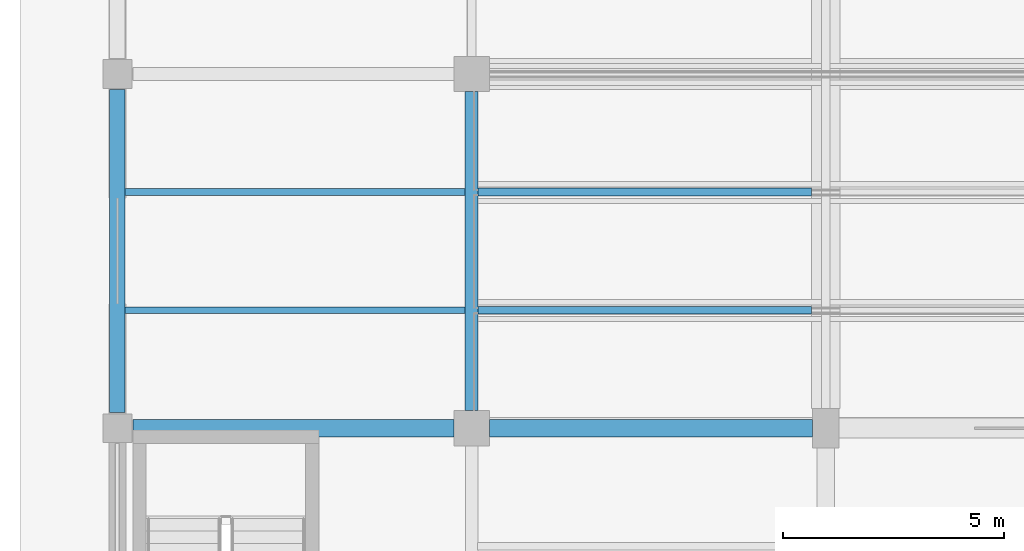
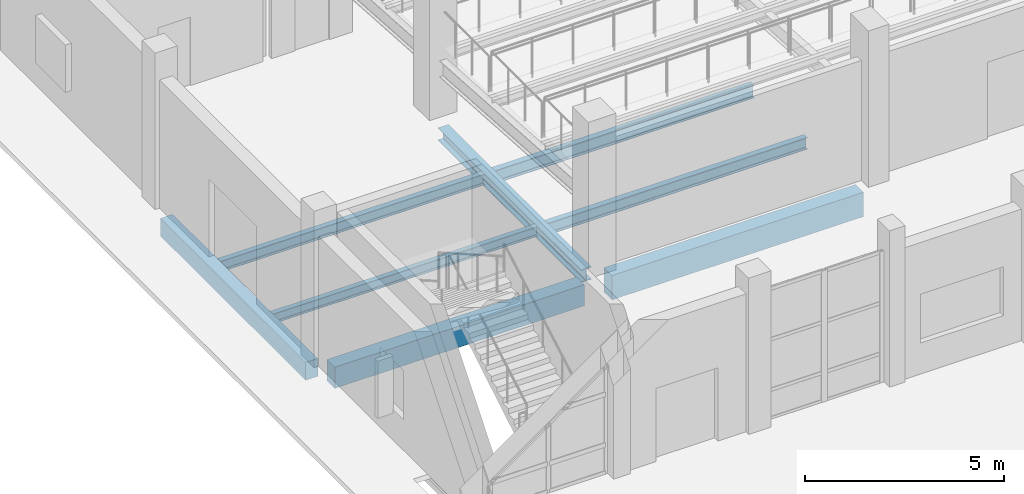
# One storey, part 29 of 156: 8 beams.
"""IFC4 building model written with IfcOpenShell, lengths in metres."""

from ifc_helpers import new_model, si_unit, direction, frame, origin, origin_2d, place, context, subcontext, project, spatial, rectangle, i_section, extrude, material, material_profile, profile_set, type_object, element, save


model = new_model("IFC4")

# Units and contexts
model_context = context("Model", 3, precision=1e-05, world=origin(), true_north=direction((0.0, 1.0)))
body_context = subcontext(model_context, "Body", "Model", "MODEL_VIEW")
ifc_project = project(units=[si_unit("LENGTHUNIT", "METRE"), si_unit("AREAUNIT", "SQUARE_METRE"), si_unit("VOLUMEUNIT", "CUBIC_METRE"), si_unit("PLANEANGLEUNIT", "RADIAN"), si_unit("MASSUNIT", "GRAM", prefix="KILO")], contexts=[model_context])

# Site, building, storey
site_placement = place(None, origin())
site = spatial("IfcSite", under=ifc_project, at=site_placement, CompositionType="ELEMENT")
building_placement = place(site_placement, origin())
building = spatial("IfcBuilding", under=site, at=building_placement, Name="Luwemba Playhouse", CompositionType="ELEMENT")
storey_placement = place(building_placement, origin())
storey = spatial("IfcBuildingStorey", under=building, at=storey_placement, Name="L00", CompositionType="ELEMENT", Elevation=0.0)

# Beams
ifc_material_1 = material(Name="Concrete C40/50", Category="concrete")
ifc_material_profile_1 = material_profile(ifc_material_1, rectangle(XDim=0.39990234375, YDim=0.64990234375, at=origin_2d()))
ifc_profile_set_1 = profile_set([ifc_material_profile_1], Name="Concrete C40/50")
beam_type_1 = type_object("IfcBeamType", Name="BM-RB02", PredefinedType="BEAM", material=ifc_profile_set_1)
beam_1_placement = place(storey_placement, frame((4.35009765625, 44.0, -0.625), z_axis=(1.0, 0.0, 0.0), x_axis=(0.0, 1.0, 0.0)))
element("IfcBeam", 1, at=beam_1_placement, inside=storey, type_object=beam_type_1, Name="L00 grid girder 0007", PredefinedType="BEAM", context=body_context, shape_type="SweptSolid", body=[
    extrude(rectangle(XDim=0.39990234375, YDim=0.64990234375, at=origin_2d()), origin(), (0.0, 0.0, 1.0), 7.25),
])
ifc_material_profile_2 = material_profile(ifc_material_1, rectangle(XDim=0.39990234375, YDim=0.75, at=origin_2d()))
ifc_profile_set_2 = profile_set([ifc_material_profile_2], Name="Concrete C40/50")
beam_type_2 = type_object("IfcBeamType", Name="BM-RB03", PredefinedType="BEAM", material=ifc_profile_set_2)
beam_2_placement = place(storey_placement, frame((12.39990234375, 44.0, -0.675048828125), z_axis=(1.0, 0.0, 0.0), x_axis=(0.0, 1.0, 0.0)))
element("IfcBeam", 2, at=beam_2_placement, inside=storey, type_object=beam_type_2, Name="L00 grid girder 0008", PredefinedType="BEAM", context=body_context, shape_type="SweptSolid", body=[
    extrude(rectangle(XDim=0.39990234375, YDim=0.75, at=origin_2d()), origin(), (0.0, 0.0, 1.0), 7.300048828125),
])
ifc_material_2 = material(Name="Steel S355", Category="steel")
ifc_material_profile_3 = material_profile(ifc_material_2, i_section(OverallWidth=0.300048828125, OverallDepth=0.389892578125, WebThickness=0.010986328125, FlangeThickness=0.01904296875, FilletRadius=0.027099609375, at=origin_2d()))
ifc_profile_set_3 = profile_set([ifc_material_profile_3], Name="Steel S355")
beam_type_3 = type_object("IfcBeamType", Name="BM-SB05", PredefinedType="BEAM", material=ifc_profile_set_3)
beam_3_placement = place(storey_placement, frame((12.0, 44.39990234375, -0.4951171875), z_axis=(0.0, 1.0, 0.0), x_axis=(-1.0, 0.0, 0.0)))
element("IfcBeam", 3, at=beam_3_placement, inside=storey, type_object=beam_type_3, Name="L00 transverse girder 0024", PredefinedType="BEAM", context=body_context, shape_type="SweptSolid", body=[
    extrude(i_section(OverallWidth=0.300048828125, OverallDepth=0.389892578125, WebThickness=0.010986328125, FlangeThickness=0.01904296875, FilletRadius=0.027099609375, at=origin_2d()), origin(), (0.0, 0.0, 1.0), 7.2001953125),
])
ifc_material_profile_4 = material_profile(ifc_material_2, i_section(OverallWidth=0.14990234375, OverallDepth=0.300048828125, WebThickness=0.007080078125, FlangeThickness=0.0107421875, FilletRadius=0.014892578125, at=origin_2d()))
ifc_profile_set_4 = profile_set([ifc_material_profile_4], Name="Steel S355")
beam_type_4 = type_object("IfcBeamType", Name="BM-SJ05", PredefinedType="JOIST", material=ifc_profile_set_4)
beam_4_placement = place(storey_placement, frame((4.1708984375, 46.666748046875, -0.449951171875), z_axis=(1.0, 0.0, 0.0), x_axis=(0.0, 1.0, 0.0)))
element("IfcBeam", 4, at=beam_4_placement, inside=storey, type_object=beam_type_4, Name="L00 composite floor joist 0001", PredefinedType="JOIST", context=body_context, shape_type="SweptSolid", body=[
    extrude(i_section(OverallWidth=0.14990234375, OverallDepth=0.300048828125, WebThickness=0.007080078125, FlangeThickness=0.0107421875, FilletRadius=0.014892578125, at=origin_2d()), origin(), (0.0, 0.0, 1.0), 7.68310546875),
])
ifc_material_profile_5 = material_profile(ifc_material_2, i_section(OverallWidth=0.159912109375, OverallDepth=0.330078125, WebThickness=0.007568359375, FlangeThickness=0.011474609375, FilletRadius=0.01806640625, at=origin_2d()))
ifc_profile_set_5 = profile_set([ifc_material_profile_5], Name="Steel S355")
beam_type_5 = type_object("IfcBeamType", Name="BM-SJ06", PredefinedType="JOIST", material=ifc_profile_set_5)
beam_5_placement = place(storey_placement, frame((4.1708984375, 49.333251953125, -0.465087890625), z_axis=(1.0, 0.0, 0.0), x_axis=(0.0, 1.0, 0.0)))
element("IfcBeam", 5, at=beam_5_placement, inside=storey, type_object=beam_type_5, Name="L00 composite floor joist 0002", PredefinedType="JOIST", context=body_context, shape_type="SweptSolid", body=[
    extrude(i_section(OverallWidth=0.159912109375, OverallDepth=0.330078125, WebThickness=0.007568359375, FlangeThickness=0.011474609375, FilletRadius=0.01806640625, at=origin_2d()), origin(), (0.0, 0.0, 1.0), 7.68310546875),
])
ifc_material_profile_6 = material_profile(ifc_material_2, i_section(OverallWidth=0.169921875, OverallDepth=0.360107421875, WebThickness=0.008056640625, FlangeThickness=0.0126953125, FilletRadius=0.01806640625, at=origin_2d()))
ifc_profile_set_6 = profile_set([ifc_material_profile_6], Name="Steel S355")
beam_type_6 = type_object("IfcBeamType", Name="BM-SJ07", PredefinedType="JOIST", material=ifc_profile_set_6)
beam_6_placement = place(storey_placement, frame((12.14599609375, 46.666748046875, -0.47998046875), z_axis=(1.0, 0.0, 0.0), x_axis=(0.0, 1.0, 0.0)))
element("IfcBeam", 6, at=beam_6_placement, inside=storey, type_object=beam_type_6, Name="L00 composite floor joist 0009", PredefinedType="JOIST", context=body_context, shape_type="SweptSolid", body=[
    extrude(i_section(OverallWidth=0.169921875, OverallDepth=0.360107421875, WebThickness=0.008056640625, FlangeThickness=0.0126953125, FilletRadius=0.01806640625, at=origin_2d()), origin(), (0.0, 0.0, 1.0), 7.532958984375),
])
ifc_material_profile_7 = material_profile(ifc_material_2, i_section(OverallWidth=0.179931640625, OverallDepth=0.39990234375, WebThickness=0.008544921875, FlangeThickness=0.013427734375, FilletRadius=0.02099609375, at=origin_2d()))
ifc_profile_set_7 = profile_set([ifc_material_profile_7], Name="Steel S355")
beam_type_7 = type_object("IfcBeamType", Name="BM-SJ08", PredefinedType="JOIST", material=ifc_profile_set_7)
beam_7_placement = place(storey_placement, frame((12.14599609375, 49.333251953125, -0.5), z_axis=(1.0, 0.0, 0.0), x_axis=(0.0, 1.0, 0.0)))
element("IfcBeam", 7, at=beam_7_placement, inside=storey, type_object=beam_type_7, Name="L00 composite floor joist 0010", PredefinedType="JOIST", context=body_context, shape_type="SweptSolid", body=[
    extrude(i_section(OverallWidth=0.179931640625, OverallDepth=0.39990234375, WebThickness=0.008544921875, FlangeThickness=0.013427734375, FilletRadius=0.02099609375, at=origin_2d()), origin(), (0.0, 0.0, 1.0), 7.532958984375),
])
ifc_material_profile_8 = material_profile(ifc_material_1, rectangle(XDim=0.35009765625, YDim=0.550048828125, at=origin_2d()))
ifc_profile_set_8 = profile_set([ifc_material_profile_8], Name="Concrete C40/50")
beam_type_8 = type_object("IfcBeamType", Name="BM-SP2", PredefinedType="SPANDREL", material=ifc_profile_set_8)
beam_8_placement = place(storey_placement, frame((4.0, 44.35009765625, -0.574951171875), z_axis=(0.0, 1.0, 0.0), x_axis=(-1.0, 0.0, 0.0)))
element("IfcBeam", 8, at=beam_8_placement, inside=storey, type_object=beam_type_8, Name="L00 transverse girder 0020", PredefinedType="SPANDREL", context=body_context, shape_type="SweptSolid", body=[
    extrude(rectangle(XDim=0.35009765625, YDim=0.550048828125, at=origin_2d()), origin(), (0.0, 0.0, 1.0), 7.2998046875),
])

save(model, "model.ifc")
